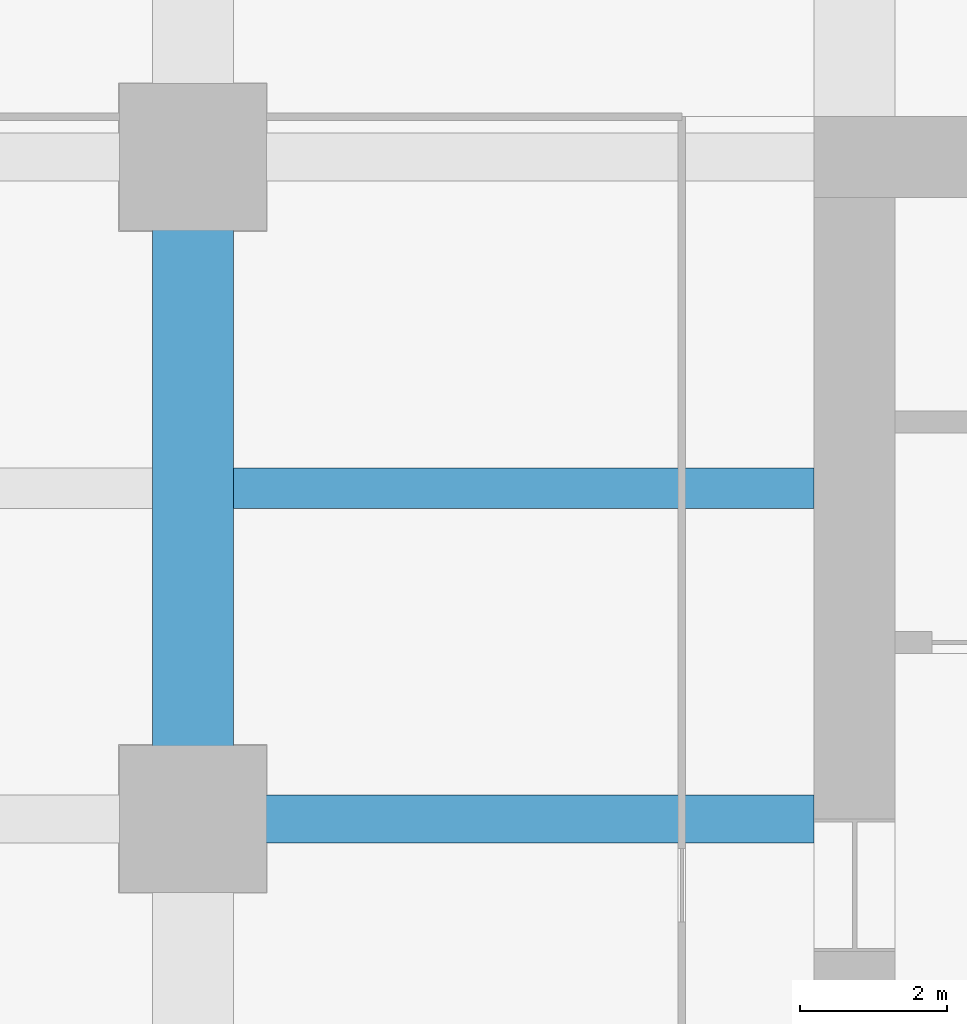
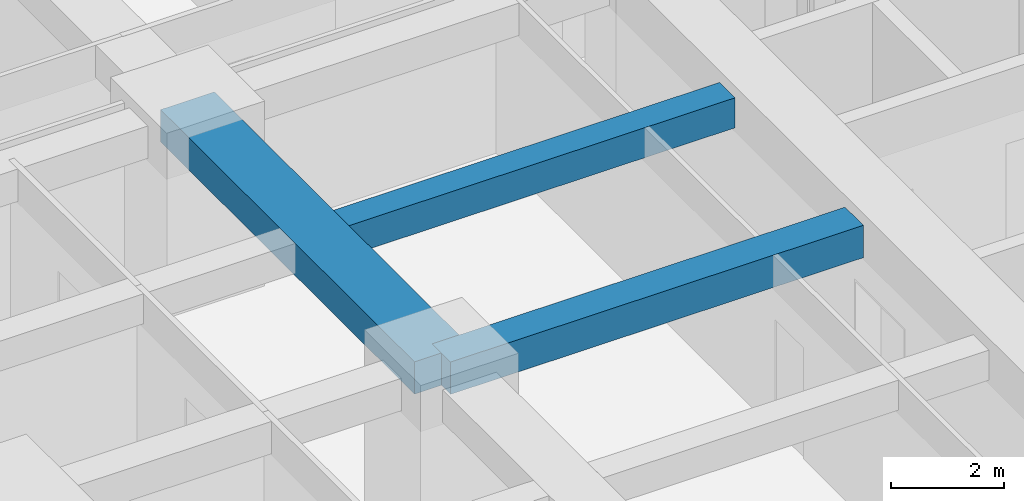
# One storey, part 12 of 41: 3 beams.
"""IFC4 building model written with IfcOpenShell, lengths in metres."""

from ifc_helpers import new_model, si_unit, direction, frame, origin, origin_2d, place, context, subcontext, project, spatial, rectangle, extrude, material, material_profile, profile_set, type_object, element, save


model = new_model("IFC4")

# Units and contexts
model_context = context("Model", 3, precision=1e-05, world=origin(), true_north=direction((0.0, 1.0)))
body_context = subcontext(model_context, "Body", "Model", "MODEL_VIEW")
ifc_project = project(units=[si_unit("LENGTHUNIT", "METRE"), si_unit("AREAUNIT", "SQUARE_METRE"), si_unit("VOLUMEUNIT", "CUBIC_METRE"), si_unit("PLANEANGLEUNIT", "RADIAN"), si_unit("MASSUNIT", "GRAM", prefix="KILO")], contexts=[model_context])

# Site, building, storey
site_placement = place(None, origin())
site = spatial("IfcSite", under=ifc_project, at=site_placement, CompositionType="ELEMENT")
building_placement = place(site_placement, origin())
building = spatial("IfcBuilding", under=site, at=building_placement, Name="Zorevar Civic Tower", CompositionType="ELEMENT")
storey_placement = place(building_placement, frame((0.0, 0.0, 113.0)))
storey = spatial("IfcBuildingStorey", under=building, at=storey_placement, Name="L27", CompositionType="ELEMENT", Elevation=113.0)

# Beams
ifc_material_1 = material(Name="Concrete C50/60", Category="concrete")
ifc_material_profile_1 = material_profile(ifc_material_1, rectangle(XDim=1.10009765625, YDim=0.699951171875, at=origin_2d()), Name="RC 1100x700")
ifc_profile_set_1 = profile_set([ifc_material_profile_1], Name="Concrete C50/60")
beam_type_1 = type_object("IfcBeamType", Name="Beam RC 1100x700", PredefinedType="BEAM", material=ifc_profile_set_1)
beam_1_placement = place(storey_placement, frame((9.0, 27.0, 3.39990234375), z_axis=(0.0, 1.0, 0.0), x_axis=(-1.0, 0.0, 0.0)))
element("IfcBeam", 1, at=beam_1_placement, inside=storey, type_object=beam_type_1, Name="Girder L28", PredefinedType="BEAM", context=body_context, shape_type="SweptSolid", body=[
    extrude(rectangle(XDim=1.10009765625, YDim=0.699951171875, at=origin_2d()), origin(), (0.0, 0.0, 1.0), 9.0),
])
ifc_material_2 = material(Name="Concrete C50/60", Category="concrete")
ifc_material_profile_2 = material_profile(ifc_material_2, rectangle(XDim=0.550048828125, YDim=0.64990234375, at=origin_2d()), Name="RC 550x650")
ifc_profile_set_2 = profile_set([ifc_material_profile_2], Name="Concrete C50/60")
beam_type_2 = type_object("IfcBeamType", Name="Beam RC 550x650", PredefinedType="BEAM", material=ifc_profile_set_2)
beam_2_placement = place(storey_placement, frame((9.550048828125, 31.5, 3.425048828125), z_axis=(1.0, 0.0, 0.0), x_axis=(0.0, 1.0, 0.0)))
element("IfcBeam", 2, at=beam_2_placement, inside=storey, type_object=beam_type_2, Name="Secondary beam L28", PredefinedType="BEAM", context=body_context, shape_type="SweptSolid", body=[
    extrude(rectangle(XDim=0.550048828125, YDim=0.64990234375, at=origin_2d()), origin(), (0.0, 0.0, 1.0), 7.89990234375),
])
ifc_material_3 = material(Name="Concrete C50/60", Category="concrete")
ifc_material_profile_3 = material_profile(ifc_material_3, rectangle(XDim=0.64990234375, YDim=0.699951171875, at=origin_2d()), Name="RC 650x700")
ifc_profile_set_3 = profile_set([ifc_material_profile_3], Name="Concrete C50/60")
beam_type_3 = type_object("IfcBeamType", Name="Beam RC 650x700", PredefinedType="BEAM", material=ifc_profile_set_3)
beam_3_placement = place(storey_placement, frame((9.0, 27.0, 3.39990234375), z_axis=(1.0, 0.0, 0.0), x_axis=(0.0, 1.0, 0.0)))
element("IfcBeam", 3, at=beam_3_placement, inside=storey, type_object=beam_type_3, Name="Girder L28", PredefinedType="BEAM", context=body_context, shape_type="SweptSolid", body=[
    extrude(rectangle(XDim=0.64990234375, YDim=0.699951171875, at=origin_2d()), origin(), (0.0, 0.0, 1.0), 8.449951171875),
])

save(model, "model.ifc")
